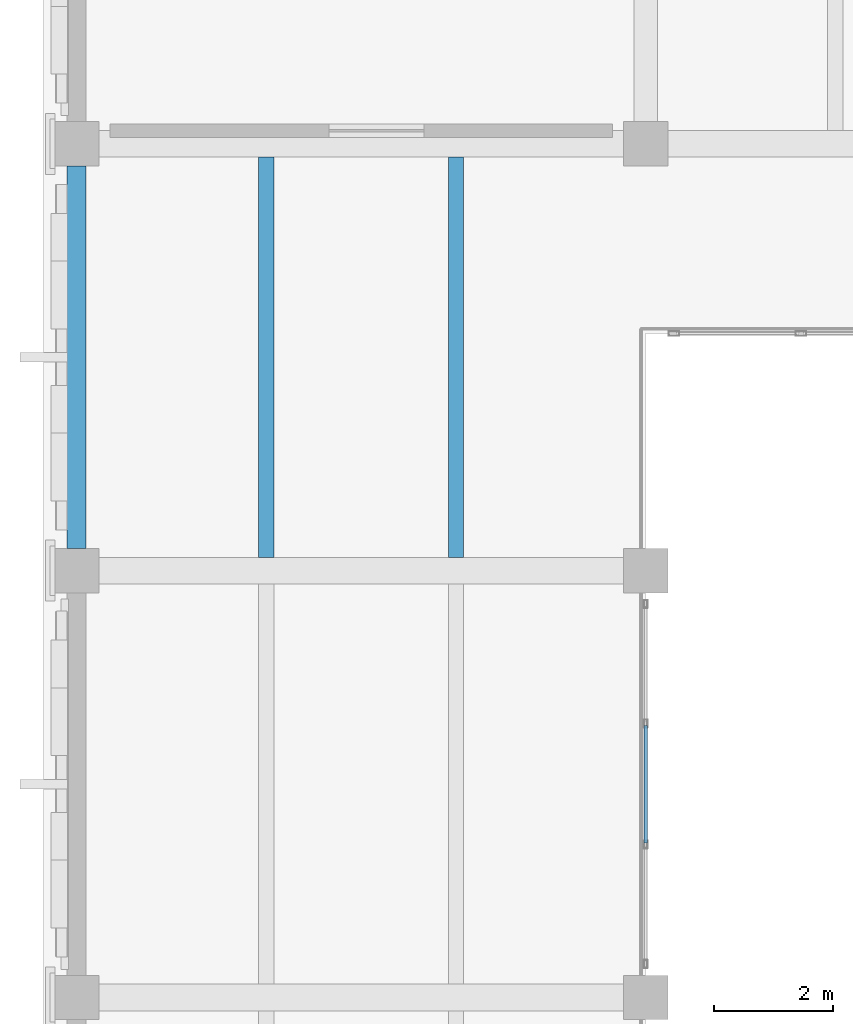
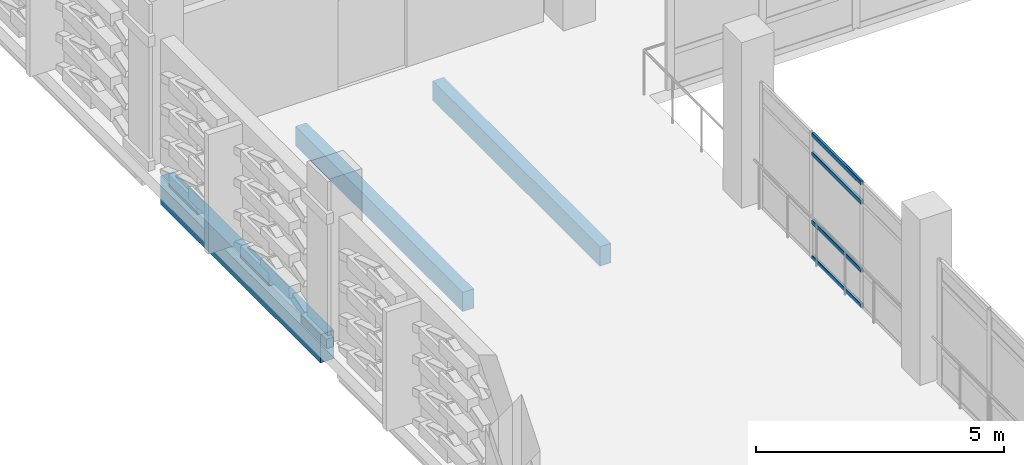
# One storey, part 87 of 180: 4 members, 3 beams, 1 element without a shape of its own.
"""IFC4 building model written with IfcOpenShell, lengths in metres."""

import ifcopenshell
import ifcopenshell.guid

model = None  # the IFC model being written
_history = None  # IfcOwnerHistory: only IFC2X3 demands one
_inside = {}  # id of a spatial element -> (the spatial element, [elements in it])
_under = {}  # id of a project, library or spatial element -> (it, [spatial elements below it])
_declared = {}  # id of a project -> (the project, [libraries it declares])
_typed = {}  # id of a type object -> (the type object, [elements of that type])
_made_of = {}  # id of a material, layer set ... -> (it, [elements and type objects made of it])


def new_model(schema):
    """Start an empty IFC model of exactly this schema.

    Asked for "IFC4X3", IfcOpenShell would pick the latest addendum, in which some entities
    have other attributes; the version numbers below select the first issue.
    IFC2X3 requires an IfcOwnerHistory on every rooted entity: one is made here for all.
    """
    global model, _history
    if schema == "IFC4X3":
        model = ifcopenshell.file(schema_version=(4, 3, 0, 0))
    else:
        model = ifcopenshell.file(schema=schema)
    _inside.clear()
    _under.clear()
    _declared.clear()
    _typed.clear()
    _made_of.clear()
    _history = None
    if model.schema == "IFC2X3":
        org = make("IfcOrganization", Name="unknown")
        user = make(
            "IfcPersonAndOrganization",
            ThePerson=make("IfcPerson", FamilyName="unknown"),
            TheOrganization=org,
        )
        app = make(
            "IfcApplication",
            ApplicationDeveloper=org,
            Version="unknown",
            ApplicationFullName="unknown",
            ApplicationIdentifier="unknown",
        )
        _history = make(
            "IfcOwnerHistory",
            OwningUser=user,
            OwningApplication=app,
            ChangeAction="ADDED",
            CreationDate=0,
        )
    return model


def make(cls, **values):
    """One entity of the class cls with the attributes given. An attribute that is None is left unset."""
    return model.create_entity(
        cls, **{name: value for name, value in values.items() if value is not None}
    )


def rooted(cls, **values):
    """An entity with a GlobalId (a new one), such as an element, a storey or a relation."""
    return make(cls, GlobalId=ifcopenshell.guid.new(), OwnerHistory=_history, **values)


def si_unit(unit_type, name, prefix=None):
    """IfcSIUnit, for example si_unit("LENGTHUNIT", "METRE", prefix="MILLI")."""
    return make("IfcSIUnit", UnitType=unit_type, Prefix=prefix, Name=name)


def assignment(units):
    """IfcUnitAssignment: the units of a project."""
    return None if units is None else make("IfcUnitAssignment", Units=units)


def point(xyz):
    """IfcCartesianPoint."""
    return None if xyz is None else make("IfcCartesianPoint", Coordinates=xyz)


def direction(xyz):
    """IfcDirection."""
    return None if xyz is None else make("IfcDirection", DirectionRatios=xyz)


def frame(location, z_axis=None, x_axis=None):
    """IfcAxis2Placement3D, a coordinate frame: its origin and axes. An axis left out is left unset."""
    return make(
        "IfcAxis2Placement3D",
        Location=point(location),
        Axis=direction(z_axis),
        RefDirection=direction(x_axis),
    )


def frame_2d(location, x_axis=None):
    """IfcAxis2Placement2D, a coordinate frame in the plane: its origin and x axis."""
    return make(
        "IfcAxis2Placement2D", Location=point(location), RefDirection=direction(x_axis)
    )


def origin():
    """The frame at (0, 0, 0) with its axes left unset."""
    return frame((0.0, 0.0, 0.0))


def origin_2d():
    """The frame at (0, 0) in the plane with its x axis left unset."""
    return frame_2d((0.0, 0.0))


def place(relative_to, where):
    """IfcLocalPlacement: puts the frame where relative to a parent placement (None: the world)."""
    return make(
        "IfcLocalPlacement", PlacementRelTo=relative_to, RelativePlacement=where
    )


def context(
    kind, dimensions, precision=None, world=None, true_north=None, identifier=None
):
    """IfcGeometricRepresentationContext, for example the 3D "Model" context."""
    return make(
        "IfcGeometricRepresentationContext",
        ContextIdentifier=identifier,
        ContextType=kind,
        CoordinateSpaceDimension=dimensions,
        Precision=precision,
        WorldCoordinateSystem=world,
        TrueNorth=true_north,
    )


def subcontext(parent, identifier, kind, view, scale=None):
    """IfcGeometricRepresentationSubContext, for example "Body" below "Model"."""
    return make(
        "IfcGeometricRepresentationSubContext",
        ContextIdentifier=identifier,
        ContextType=kind,
        ParentContext=parent,
        TargetScale=scale,
        TargetView=view,
    )


def project(units=None, contexts=None):
    """IfcProject with its units and contexts."""
    return rooted(
        "IfcProject",
        Name="project",
        RepresentationContexts=contexts,
        UnitsInContext=assignment(units),
    )


def spatial(cls, under=None, at=None, **own):
    """A site, building, storey or space (cls), placed at a placement, below another one or the project."""
    s = rooted(cls, ObjectPlacement=at, **own)
    if under is not None:
        _under.setdefault(under.id(), (under, []))[1].append(s)
    return s


def profile(cls, at=None, kind="AREA", **sizes):
    """A parametric profile (cls). Its sizes go by their IFC names, for example OverallWidth=200.0."""
    return make(cls, ProfileType=kind, Position=at, **sizes)


def rectangle(**sizes):
    """IfcRectangleProfileDef."""
    return profile("IfcRectangleProfileDef", **sizes)


def hollow_rectangle(**sizes):
    """IfcRectangleHollowProfileDef."""
    return profile("IfcRectangleHollowProfileDef", **sizes)


def extrude(swept, where, along, depth):
    """IfcExtrudedAreaSolid: the profile swept, set in the frame where, extruded along a direction by depth."""
    return make(
        "IfcExtrudedAreaSolid",
        SweptArea=swept,
        Position=where,
        ExtrudedDirection=direction(along),
        Depth=depth,
    )


def shape(context_of_items, identifier, shape_type, items):
    """IfcShapeRepresentation: the items that make up one representation, for example the "Body"."""
    return make(
        "IfcShapeRepresentation",
        ContextOfItems=context_of_items,
        RepresentationIdentifier=identifier,
        RepresentationType=shape_type,
        Items=items,
    )


def material(Name=None, Category=None):
    """IfcMaterial."""
    return make("IfcMaterial", Name=Name, Category=Category)


def layer(
    of_material, thickness, ventilated=None, Name=None, Category=None, Priority=None
):
    """IfcMaterialLayer: one layer of a wall or slab, of a material (None: an air gap)."""
    return make(
        "IfcMaterialLayer",
        Material=of_material,
        LayerThickness=thickness,
        IsVentilated=ventilated,
        Name=Name,
        Category=Category,
        Priority=Priority,
    )


def layer_set(layers, Name=None):
    """IfcMaterialLayerSet."""
    return make("IfcMaterialLayerSet", MaterialLayers=layers, LayerSetName=Name)


def material_profile(
    of_material, cross_section, Name=None, Category=None, Priority=None
):
    """IfcMaterialProfile: a cross section and its material."""
    return make(
        "IfcMaterialProfile",
        Name=Name,
        Material=of_material,
        Profile=cross_section,
        Priority=Priority,
        Category=Category,
    )


def profile_set(profiles, Name=None, composite=None):
    """IfcMaterialProfileSet."""
    return make(
        "IfcMaterialProfileSet",
        Name=Name,
        MaterialProfiles=profiles,
        CompositeProfile=composite,
    )


def made_of(thing, what):
    """Note that an element or type object is made of a material, layer set ...; save() writes the relation."""
    if what is not None:
        _made_of.setdefault(what.id(), (what, []))[1].append(thing)
    return thing


def type_object(cls, material=None, **own):
    """A type object (cls), such as IfcWallType, which elements share."""
    return made_of(rooted(cls, **own), material)


def element(
    cls,
    number,
    at=None,
    inside=None,
    cuts=None,
    type_object=None,
    material=None,
    context=None,
    identifier="Body",
    shape_type=None,
    held_by="IfcProductDefinitionShape",
    body=None,
    shapes=None,
    **own,
):
    """One element of the class cls, such as IfcWall. Its Tag is "e" and its number.

    at: its placement. inside: the storey or other place that contains it. cuts: it is an
    opening in that element (IfcRelVoidsElement). A single representation is given by context,
    identifier, shape_type and body (its items); several are given by shapes. held_by: the class
    of the entity that holds the representations. save() writes the other relations.
    """
    e = rooted(cls, Tag="e%d" % number, ObjectPlacement=at, **own)
    if body is not None:
        shapes = [shape(context, identifier, shape_type, body)]
    if shapes is not None:
        e.Representation = make(held_by, Representations=shapes)
    if inside is not None:
        _inside.setdefault(inside.id(), (inside, []))[1].append(e)
    if cuts is not None:
        rooted(
            "IfcRelVoidsElement", RelatingBuildingElement=cuts, RelatedOpeningElement=e
        )
    if type_object is not None:
        _typed.setdefault(type_object.id(), (type_object, []))[1].append(e)
    return made_of(e, material)


def aggregate(whole, parts):
    """IfcRelAggregates: a whole, such as a stair, and the parts it consists of."""
    return rooted("IfcRelAggregates", RelatingObject=whole, RelatedObjects=parts)


def save(model, path):
    """Write the relations noted so far, then the file.

    IfcRelAggregates (storeys below a building ...), IfcRelContainedInSpatialStructure (elements
    in a storey), IfcRelDefinesByType, IfcRelAssociatesMaterial and IfcRelDeclares: one each for
    every whole, place, type object, material and project.
    """
    for whole, parts in _under.values():
        aggregate(whole, parts)
    for where, things in _inside.values():
        rooted(
            "IfcRelContainedInSpatialStructure",
            RelatedElements=things,
            RelatingStructure=where,
        )
    for kind, things in _typed.values():
        rooted("IfcRelDefinesByType", RelatedObjects=things, RelatingType=kind)
    for what, things in _made_of.values():
        rooted("IfcRelAssociatesMaterial", RelatedObjects=things, RelatingMaterial=what)
    for by, libraries in _declared.values():
        rooted("IfcRelDeclares", RelatingContext=by, RelatedDefinitions=libraries)
    model.write(path)


model = new_model("IFC4")

# Units and contexts
model_context = context("Model", 3, precision=1e-05, world=origin(), true_north=direction((0.0, 1.0)))
body_context = subcontext(model_context, "Body", "Model", "MODEL_VIEW")
ifc_project = project(units=[si_unit("LENGTHUNIT", "METRE"), si_unit("AREAUNIT", "SQUARE_METRE"), si_unit("VOLUMEUNIT", "CUBIC_METRE"), si_unit("PLANEANGLEUNIT", "RADIAN"), si_unit("MASSUNIT", "GRAM", prefix="KILO")], contexts=[model_context])

# Site, building, storey
site_placement = place(None, origin())
site = spatial("IfcSite", under=ifc_project, at=site_placement, CompositionType="ELEMENT")
building_placement = place(site_placement, origin())
building = spatial("IfcBuilding", under=site, at=building_placement, Name="Asteropetra Specialist Clinic", CompositionType="ELEMENT")
storey_placement = place(building_placement, frame((0.0, 0.0, 4.419921875)))
storey = spatial("IfcBuildingStorey", under=building, at=storey_placement, Name="L01", CompositionType="ELEMENT", Elevation=4.419921875)

# Curtain wall, members
ifc_material_1 = material(Name="Aluminium and low-E glass", Category="aluminium")
ifc_layer = layer(ifc_material_1, 0.14990234375)
ifc_layer_set = layer_set([ifc_layer], Name="Aluminium and low-E glass")
curtain_wall_type = type_object("IfcCurtainWallType", Name="CW-SYS-05", PredefinedType="USERDEFINED", material=ifc_layer_set)
curtain_wall_placement = place(storey_placement, origin())
curtain_wall = element("IfcCurtainWall", 1, at=curtain_wall_placement, inside=storey, type_object=curtain_wall_type, Name="Curtain Wall CW-023", ObjectType="UNITISED CURTAIN WALL", PredefinedType="USERDEFINED")
ifc_material_2 = material(Name="Aluminium 6063-T6", Category="aluminium")
ifc_material_profile_1 = material_profile(ifc_material_2, hollow_rectangle(XDim=0.06005859375, YDim=0.10009765625, WallThickness=0.00341796875, InnerFilletRadius=0.00341796875, OuterFilletRadius=0.007080078125, at=origin_2d()), Name="TRN 100x60x3.5")
ifc_profile_set_1 = profile_set([ifc_material_profile_1], Name="Aluminium 6063-T6")
member_type = type_object("IfcMemberType", Name="CWT-100x60", PredefinedType="USERDEFINED", material=ifc_profile_set_1)
member_1_placement = place(storey_placement, frame((9.60009765625, 88.591552734375, 0.030029296875), z_axis=(0.0, -1.0, 0.0), x_axis=(1.0, 0.0, 0.0)))
member_1 = element("IfcMember", 2, at=member_1_placement, type_object=member_type, Name="CW-023 transom 2.1", ObjectType="TRANSOM", PredefinedType="USERDEFINED", context=body_context, shape_type="SweptSolid", body=[
    extrude(hollow_rectangle(XDim=0.06005859375, YDim=0.10009765625, WallThickness=0.00341796875, InnerFilletRadius=0.00341796875, OuterFilletRadius=0.007080078125, at=origin_2d()), origin(), (0.0, 0.0, 1.0), 1.983154296875),
])
member_2_placement = place(storey_placement, frame((9.60009765625, 88.591552734375, 0.900146484375), z_axis=(0.0, -1.0, 0.0), x_axis=(1.0, 0.0, 0.0)))
member_2 = element("IfcMember", 3, at=member_2_placement, type_object=member_type, Name="CW-023 transom 2.2", ObjectType="TRANSOM", PredefinedType="USERDEFINED", context=body_context, shape_type="SweptSolid", body=[
    extrude(hollow_rectangle(XDim=0.06005859375, YDim=0.10009765625, WallThickness=0.00341796875, InnerFilletRadius=0.00341796875, OuterFilletRadius=0.007080078125, at=origin_2d()), origin(), (0.0, 0.0, 1.0), 1.983154296875),
])
member_3_placement = place(storey_placement, frame((9.60009765625, 88.591552734375, 2.580078125), z_axis=(0.0, -1.0, 0.0), x_axis=(1.0, 0.0, 0.0)))
member_3 = element("IfcMember", 4, at=member_3_placement, type_object=member_type, Name="CW-023 transom 2.3", ObjectType="TRANSOM", PredefinedType="USERDEFINED", context=body_context, shape_type="SweptSolid", body=[
    extrude(hollow_rectangle(XDim=0.06005859375, YDim=0.10009765625, WallThickness=0.00341796875, InnerFilletRadius=0.00341796875, OuterFilletRadius=0.007080078125, at=origin_2d()), origin(), (0.0, 0.0, 1.0), 1.983154296875),
])
member_4_placement = place(storey_placement, frame((9.60009765625, 88.591552734375, 3.050048828125), z_axis=(0.0, -1.0, 0.0), x_axis=(1.0, 0.0, 0.0)))
member_4 = element("IfcMember", 5, at=member_4_placement, type_object=member_type, Name="CW-023 transom 2.4", ObjectType="TRANSOM", PredefinedType="USERDEFINED", context=body_context, shape_type="SweptSolid", body=[
    extrude(hollow_rectangle(XDim=0.06005859375, YDim=0.10009765625, WallThickness=0.00341796875, InnerFilletRadius=0.00341796875, OuterFilletRadius=0.007080078125, at=origin_2d()), origin(), (0.0, 0.0, 1.0), 1.983154296875),
])
aggregate(curtain_wall, [member_1, member_2, member_3, member_4])

# Beams
ifc_material_3 = material(Name="Concrete C35/45", Category="concrete")
ifc_material_profile_2 = material_profile(ifc_material_3, rectangle(XDim=0.260009765625, YDim=0.47998046875, at=origin_2d()), Name="RCJ 260x480")
ifc_profile_set_2 = profile_set([ifc_material_profile_2], Name="Concrete C35/45")
beam_type_1 = type_object("IfcBeamType", Name="JST-RC260x480", PredefinedType="JOIST", material=ifc_profile_set_2)
for number, where, z_axis, x_axis, name in (
    (6, (3.199951171875, 91.425048828125, -0.52001953125), (0.0, 1.0, 0.0), (-1.0, 0.0, 0.0), "Joist JJST02-0710"),
    (7, (6.39990234375, 91.425048828125, -0.52001953125), (0.0, 1.0, 0.0), (-1.0, 0.0, 0.0), "Joist JJST02-0711"),
):
    element("IfcBeam", number, at=place(storey_placement, frame(where, z_axis=z_axis, x_axis=x_axis)), inside=storey, type_object=beam_type_1, Name=name, PredefinedType="JOIST", context=body_context, shape_type="SweptSolid", body=[
        extrude(rectangle(XDim=0.260009765625, YDim=0.47998046875, at=origin_2d()), origin(), (0.0, 0.0, 1.0), 6.75),
    ])
ifc_material_4 = material(Name="Concrete C35/45", Category="concrete")
ifc_material_profile_3 = material_profile(ifc_material_4, rectangle(XDim=0.320068359375, YDim=0.699951171875, at=origin_2d()), Name="RCS 320x700")
ifc_profile_set_3 = profile_set([ifc_material_profile_3], Name="Concrete C35/45")
beam_type_2 = type_object("IfcBeamType", Name="SPN-RC320x700", PredefinedType="SPANDREL", material=ifc_profile_set_3)
beam_placement = place(storey_placement, frame((0.0, 91.574951171875, -0.6298828125), z_axis=(0.0, 1.0, 0.0), x_axis=(-1.0, 0.0, 0.0)))
element("IfcBeam", 8, at=beam_placement, inside=storey, type_object=beam_type_2, Name="Beam BSPN02-0707", PredefinedType="SPANDREL", context=body_context, shape_type="SweptSolid", body=[
    extrude(rectangle(XDim=0.320068359375, YDim=0.699951171875, at=origin_2d()), origin(), (0.0, 0.0, 1.0), 6.449951171875),
])

save(model, "model.ifc")
